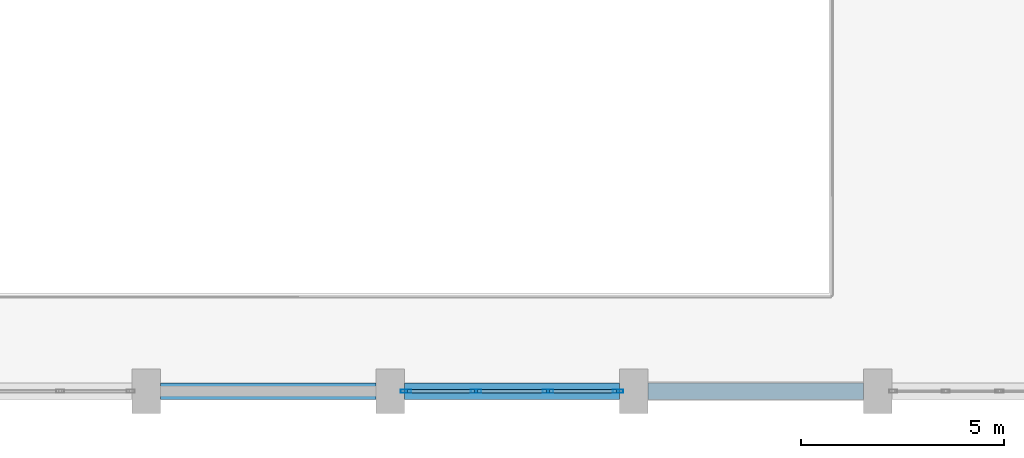
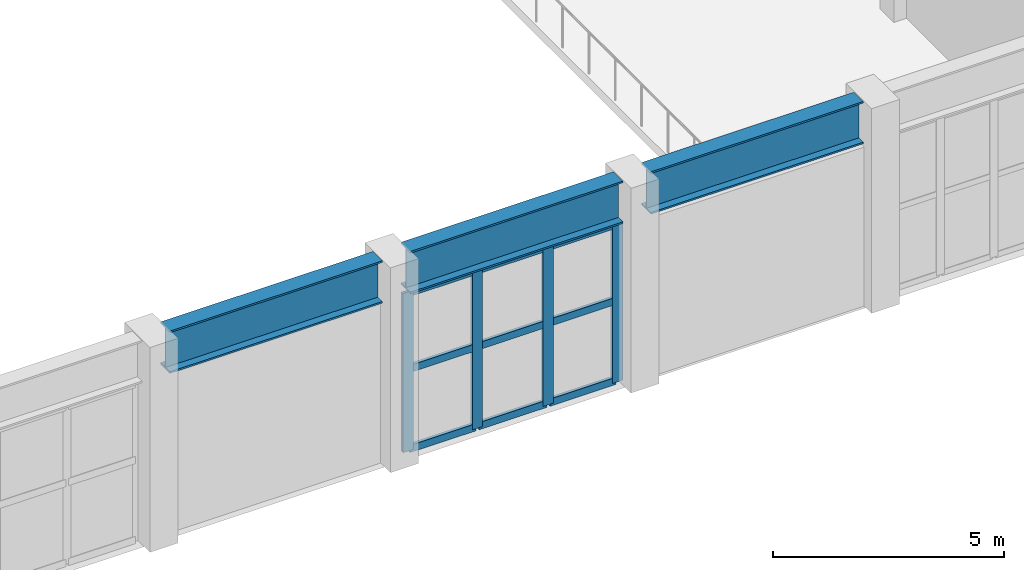
# One storey, part 10 of 41: 13 members, 3 beams, 1 element without a shape of its own.
"""IFC4 building model written with IfcOpenShell, lengths in metres."""

from ifc_helpers import new_model, si_unit, direction, frame, origin, origin_2d, place, context, subcontext, project, spatial, hollow_rectangle, i_section, extrude, material, layer, layer_set, material_profile, profile_set, type_object, element, aggregate, save


model = new_model("IFC4")

# Units and contexts
model_context = context("Model", 3, precision=1e-05, world=origin(), true_north=direction((0.0, 1.0)))
body_context = subcontext(model_context, "Body", "Model", "MODEL_VIEW")
ifc_project = project(units=[si_unit("LENGTHUNIT", "METRE"), si_unit("AREAUNIT", "SQUARE_METRE"), si_unit("VOLUMEUNIT", "CUBIC_METRE"), si_unit("PLANEANGLEUNIT", "RADIAN"), si_unit("MASSUNIT", "GRAM", prefix="KILO")], contexts=[model_context])

# Site, building, storey
site_placement = place(None, origin())
site = spatial("IfcSite", under=ifc_project, at=site_placement, CompositionType="ELEMENT")
building_placement = place(site_placement, origin())
building = spatial("IfcBuilding", under=site, at=building_placement, Name="Vaelkrest Opera House", CompositionType="ELEMENT")
storey_placement = place(building_placement, frame((0.0, 0.0, 24.60009765625)))
storey = spatial("IfcBuildingStorey", under=building, at=storey_placement, Name="L05", CompositionType="ELEMENT", Elevation=24.60009765625)

# Curtain wall, members
ifc_material_1 = material(Name="Dark bronze anodized aluminium", Category="aluminium")
ifc_layer = layer(ifc_material_1, 0.2099609375)
ifc_layer_set = layer_set([ifc_layer], Name="Dark bronze anodized aluminium")
curtain_wall_type = type_object("IfcCurtainWallType", Name="CW04", PredefinedType="NOTDEFINED", material=ifc_layer_set)
curtain_wall_placement = place(storey_placement, origin())
curtain_wall = element("IfcCurtainWall", 1, at=curtain_wall_placement, inside=storey, type_object=curtain_wall_type, Name="Curtain wall CW-L05-069", PredefinedType="NOTDEFINED")
ifc_material_profile_1 = material_profile(ifc_material_1, hollow_rectangle(XDim=0.080078125, YDim=0.260009765625, WallThickness=0.0048828125, at=origin_2d()), Name="CWM80X260")
ifc_profile_set_1 = profile_set([ifc_material_profile_1], Name="Dark bronze anodized aluminium")
member_type_1 = type_object("IfcMemberType", Name="CWM04", PredefinedType="MULLION", material=ifc_profile_set_1)
member_1_placement = place(storey_placement, frame((17.612060546875, -55.800048828125, 0.0), z_axis=(0.0, 0.0, 1.0), x_axis=(0.0, -1.0, 0.0)))
member_1 = element("IfcMember", 2, at=member_1_placement, type_object=member_type_1, Name="CW04 mullion 1", PredefinedType="MULLION", context=body_context, shape_type="SweptSolid", body=[
    extrude(hollow_rectangle(XDim=0.080078125, YDim=0.260009765625, WallThickness=0.0048828125, at=origin_2d()), origin(), (0.0, 0.0, 1.0), 4.197021484375),
])
member_2_placement = place(storey_placement, frame((15.884033203125, -55.800048828125, 0.0), z_axis=(0.0, 0.0, 1.0), x_axis=(0.0, -1.0, 0.0)))
member_2 = element("IfcMember", 3, at=member_2_placement, type_object=member_type_1, Name="CW04 mullion 2", PredefinedType="MULLION", context=body_context, shape_type="SweptSolid", body=[
    extrude(hollow_rectangle(XDim=0.080078125, YDim=0.260009765625, WallThickness=0.0048828125, at=origin_2d()), origin(), (0.0, 0.0, 1.0), 4.197021484375),
])
member_3_placement = place(storey_placement, frame((14.115966796875, -55.800048828125, 0.0), z_axis=(0.0, 0.0, 1.0), x_axis=(0.0, -1.0, 0.0)))
member_3 = element("IfcMember", 4, at=member_3_placement, type_object=member_type_1, Name="CW04 mullion 3", PredefinedType="MULLION", context=body_context, shape_type="SweptSolid", body=[
    extrude(hollow_rectangle(XDim=0.080078125, YDim=0.260009765625, WallThickness=0.0048828125, at=origin_2d()), origin(), (0.0, 0.0, 1.0), 4.197021484375),
])
member_4_placement = place(storey_placement, frame((12.387939453125, -55.800048828125, 0.0), z_axis=(0.0, 0.0, 1.0), x_axis=(0.0, -1.0, 0.0)))
member_4 = element("IfcMember", 5, at=member_4_placement, type_object=member_type_1, Name="CW04 mullion 4", PredefinedType="MULLION", context=body_context, shape_type="SweptSolid", body=[
    extrude(hollow_rectangle(XDim=0.080078125, YDim=0.260009765625, WallThickness=0.0048828125, at=origin_2d()), origin(), (0.0, 0.0, 1.0), 4.197021484375),
])
ifc_material_profile_2 = material_profile(ifc_material_1, hollow_rectangle(XDim=0.080078125, YDim=0.18994140625, WallThickness=0.0048828125, at=origin_2d()), Name="CWT80X190")
ifc_profile_set_2 = profile_set([ifc_material_profile_2], Name="Dark bronze anodized aluminium")
member_type_2 = type_object("IfcMemberType", Name="CWT04", PredefinedType="USERDEFINED", material=ifc_profile_set_2)
member_5_placement = place(storey_placement, frame((17.572021484375, -55.800048828125, 0.039794921875), z_axis=(-1.0, 0.0, 0.0), x_axis=(0.0, -1.0, 0.0)))
member_5 = element("IfcMember", 6, at=member_5_placement, type_object=member_type_2, Name="CW04 transom 1.1", ObjectType="TRANSOM", PredefinedType="USERDEFINED", context=body_context, shape_type="SweptSolid", body=[
    extrude(hollow_rectangle(XDim=0.080078125, YDim=0.18994140625, WallThickness=0.0048828125, at=origin_2d()), origin(), (0.0, 0.0, 1.0), 1.64794921875),
])
member_6_placement = place(storey_placement, frame((17.572021484375, -55.800048828125, 2.14990234375), z_axis=(-1.0, 0.0, 0.0), x_axis=(0.0, -1.0, 0.0)))
member_6 = element("IfcMember", 7, at=member_6_placement, type_object=member_type_2, Name="CW04 transom 1.2", ObjectType="TRANSOM", PredefinedType="USERDEFINED", context=body_context, shape_type="SweptSolid", body=[
    extrude(hollow_rectangle(XDim=0.080078125, YDim=0.18994140625, WallThickness=0.0048828125, at=origin_2d()), origin(), (0.0, 0.0, 1.0), 1.64794921875),
])
member_7_placement = place(storey_placement, frame((17.572021484375, -55.800048828125, 4.156982421875), z_axis=(-1.0, 0.0, 0.0), x_axis=(0.0, -1.0, 0.0)))
member_7 = element("IfcMember", 8, at=member_7_placement, type_object=member_type_2, Name="CW04 transom 1.3", ObjectType="TRANSOM", PredefinedType="USERDEFINED", context=body_context, shape_type="SweptSolid", body=[
    extrude(hollow_rectangle(XDim=0.080078125, YDim=0.18994140625, WallThickness=0.0048828125, at=origin_2d()), origin(), (0.0, 0.0, 1.0), 1.64794921875),
])
member_8_placement = place(storey_placement, frame((15.843994140625, -55.800048828125, 0.039794921875), z_axis=(-1.0, 0.0, 0.0), x_axis=(0.0, -1.0, 0.0)))
member_8 = element("IfcMember", 9, at=member_8_placement, type_object=member_type_2, Name="CW04 transom 2.1", ObjectType="TRANSOM", PredefinedType="USERDEFINED", context=body_context, shape_type="SweptSolid", body=[
    extrude(hollow_rectangle(XDim=0.080078125, YDim=0.18994140625, WallThickness=0.0048828125, at=origin_2d()), origin(), (0.0, 0.0, 1.0), 1.68798828125),
])
member_9_placement = place(storey_placement, frame((15.843994140625, -55.800048828125, 2.14990234375), z_axis=(-1.0, 0.0, 0.0), x_axis=(0.0, -1.0, 0.0)))
member_9 = element("IfcMember", 10, at=member_9_placement, type_object=member_type_2, Name="CW04 transom 2.2", ObjectType="TRANSOM", PredefinedType="USERDEFINED", context=body_context, shape_type="SweptSolid", body=[
    extrude(hollow_rectangle(XDim=0.080078125, YDim=0.18994140625, WallThickness=0.0048828125, at=origin_2d()), origin(), (0.0, 0.0, 1.0), 1.68798828125),
])
member_10_placement = place(storey_placement, frame((15.843994140625, -55.800048828125, 4.156982421875), z_axis=(-1.0, 0.0, 0.0), x_axis=(0.0, -1.0, 0.0)))
member_10 = element("IfcMember", 11, at=member_10_placement, type_object=member_type_2, Name="CW04 transom 2.3", ObjectType="TRANSOM", PredefinedType="USERDEFINED", context=body_context, shape_type="SweptSolid", body=[
    extrude(hollow_rectangle(XDim=0.080078125, YDim=0.18994140625, WallThickness=0.0048828125, at=origin_2d()), origin(), (0.0, 0.0, 1.0), 1.68798828125),
])
member_11_placement = place(storey_placement, frame((14.075927734375, -55.800048828125, 0.039794921875), z_axis=(-1.0, 0.0, 0.0), x_axis=(0.0, -1.0, 0.0)))
member_11 = element("IfcMember", 12, at=member_11_placement, type_object=member_type_2, Name="CW04 transom 3.1", ObjectType="TRANSOM", PredefinedType="USERDEFINED", context=body_context, shape_type="SweptSolid", body=[
    extrude(hollow_rectangle(XDim=0.080078125, YDim=0.18994140625, WallThickness=0.0048828125, at=origin_2d()), origin(), (0.0, 0.0, 1.0), 1.64794921875),
])
member_12_placement = place(storey_placement, frame((14.075927734375, -55.800048828125, 2.14990234375), z_axis=(-1.0, 0.0, 0.0), x_axis=(0.0, -1.0, 0.0)))
member_12 = element("IfcMember", 13, at=member_12_placement, type_object=member_type_2, Name="CW04 transom 3.2", ObjectType="TRANSOM", PredefinedType="USERDEFINED", context=body_context, shape_type="SweptSolid", body=[
    extrude(hollow_rectangle(XDim=0.080078125, YDim=0.18994140625, WallThickness=0.0048828125, at=origin_2d()), origin(), (0.0, 0.0, 1.0), 1.64794921875),
])
member_13_placement = place(storey_placement, frame((14.075927734375, -55.800048828125, 4.156982421875), z_axis=(-1.0, 0.0, 0.0), x_axis=(0.0, -1.0, 0.0)))
member_13 = element("IfcMember", 14, at=member_13_placement, type_object=member_type_2, Name="CW04 transom 3.3", ObjectType="TRANSOM", PredefinedType="USERDEFINED", context=body_context, shape_type="SweptSolid", body=[
    extrude(hollow_rectangle(XDim=0.080078125, YDim=0.18994140625, WallThickness=0.0048828125, at=origin_2d()), origin(), (0.0, 0.0, 1.0), 1.64794921875),
])
aggregate(curtain_wall, [member_1, member_2, member_3, member_4, member_5, member_6, member_7, member_8, member_9, member_10, member_11, member_12, member_13])

# Beams
ifc_material_2 = material(Name="Steel A992 Gr50", Category="steel")
ifc_material_profile_3 = material_profile(ifc_material_2, i_section(OverallWidth=0.405029296875, OverallDepth=1.117919921875, WebThickness=0.02587890625, FlangeThickness=0.044921875, at=origin_2d()), Name="W44X335")
ifc_profile_set_3 = profile_set([ifc_material_profile_3], Name="Steel A992 Gr50")
beam_type = type_object("IfcBeamType", Name="SP05", PredefinedType="SPANDREL", material=ifc_profile_set_3)
for number, where, z_axis, x_axis, name in (
    (15, (6.35009765625, -55.800048828125, 4.82080078125), (1.0, 0.0, 0.0), (0.0, 1.0, 0.0), "Beam BM-V1-L05-0633"),
    (16, (12.35009765625, -55.800048828125, 4.82080078125), (1.0, 0.0, 0.0), (0.0, 1.0, 0.0), "Beam BM-V1-L05-0634"),
    (17, (18.35009765625, -55.800048828125, 4.82080078125), (1.0, 0.0, 0.0), (0.0, 1.0, 0.0), "Beam BM-V1-L05-0635"),
):
    element("IfcBeam", number, at=place(storey_placement, frame(where, z_axis=z_axis, x_axis=x_axis)), inside=storey, type_object=beam_type, Name=name, PredefinedType="SPANDREL", context=body_context, shape_type="SweptSolid", body=[
        extrude(i_section(OverallWidth=0.405029296875, OverallDepth=1.117919921875, WebThickness=0.02587890625, FlangeThickness=0.044921875, at=origin_2d()), origin(), (0.0, 0.0, 1.0), 5.2998046875),
    ])

save(model, "model.ifc")
